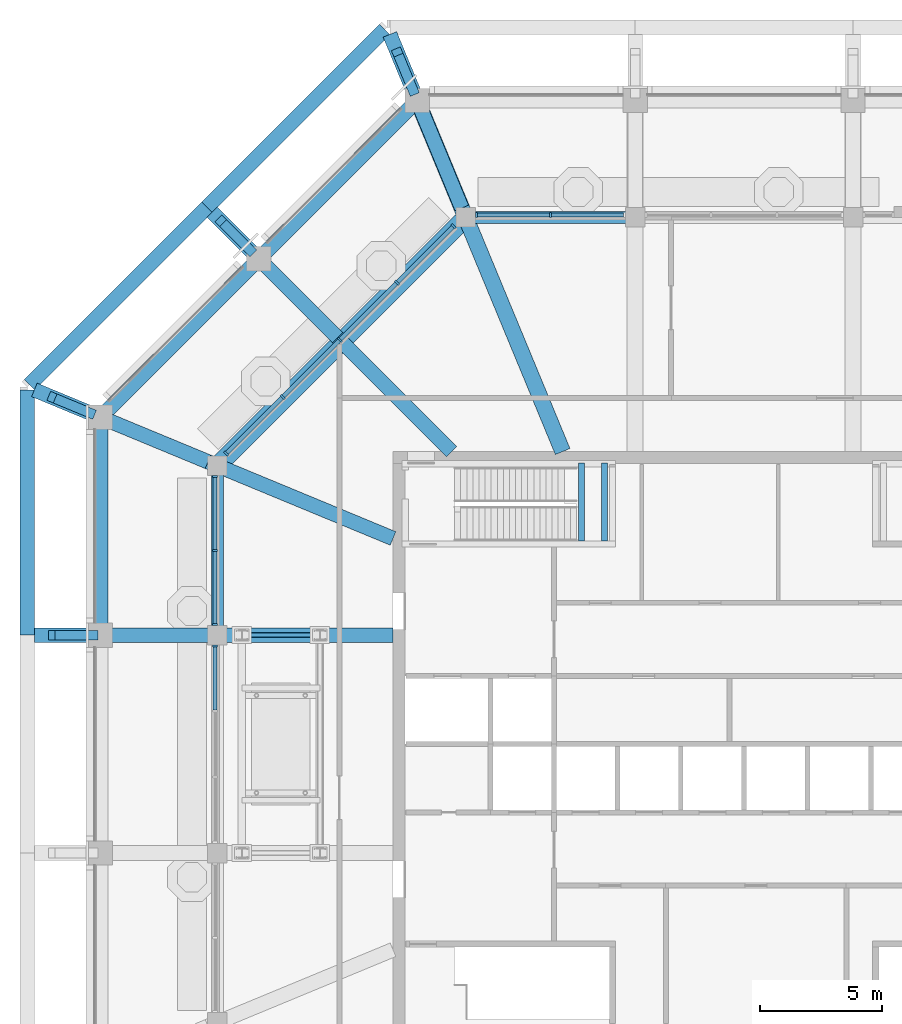
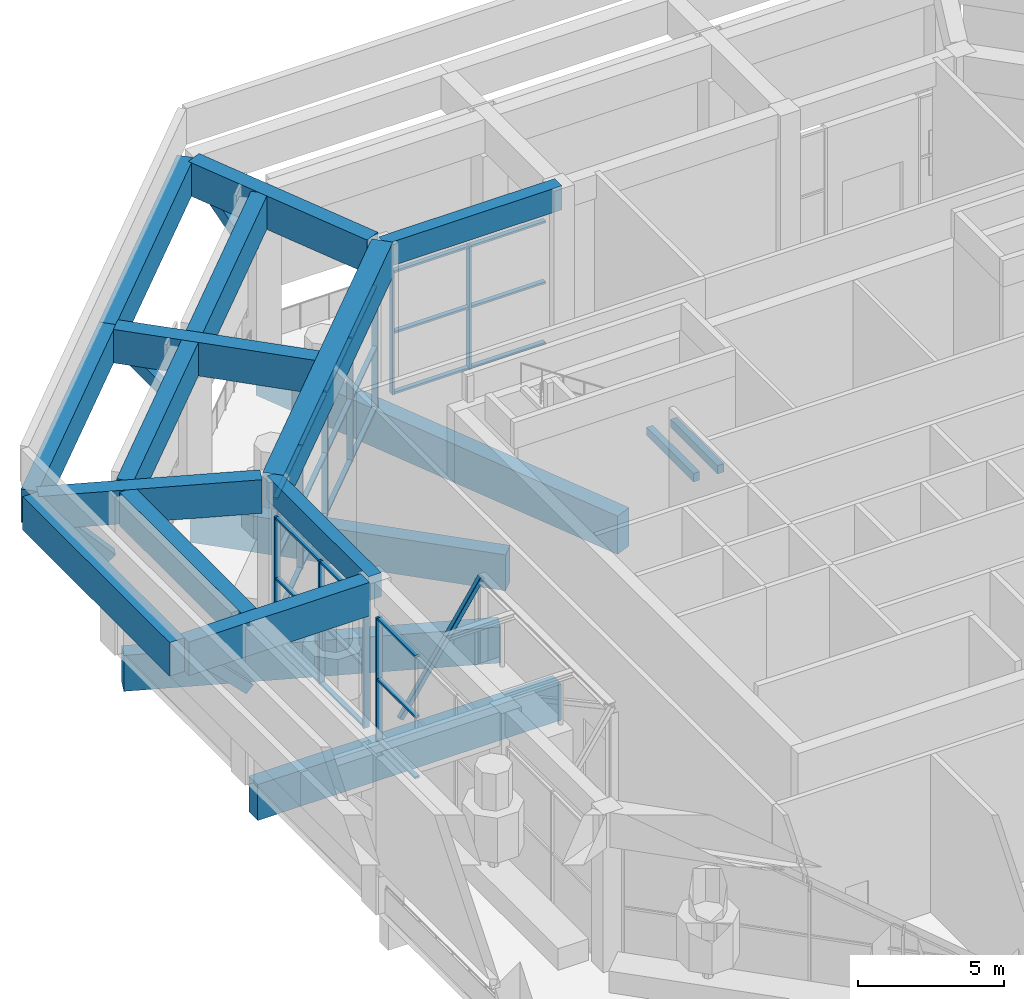
# One storey, part 9 of 29: 43 members, 19 beams, 4 elements without a shape of their own.
"""IFC4 building model written with IfcOpenShell, lengths in metres."""

import ifcopenshell
import ifcopenshell.guid

model = None  # the IFC model being written
_history = None  # IfcOwnerHistory: only IFC2X3 demands one
_inside = {}  # id of a spatial element -> (the spatial element, [elements in it])
_under = {}  # id of a project, library or spatial element -> (it, [spatial elements below it])
_declared = {}  # id of a project -> (the project, [libraries it declares])
_typed = {}  # id of a type object -> (the type object, [elements of that type])
_made_of = {}  # id of a material, layer set ... -> (it, [elements and type objects made of it])


def new_model(schema):
    """Start an empty IFC model of exactly this schema.

    Asked for "IFC4X3", IfcOpenShell would pick the latest addendum, in which some entities
    have other attributes; the version numbers below select the first issue.
    IFC2X3 requires an IfcOwnerHistory on every rooted entity: one is made here for all.
    """
    global model, _history
    if schema == "IFC4X3":
        model = ifcopenshell.file(schema_version=(4, 3, 0, 0))
    else:
        model = ifcopenshell.file(schema=schema)
    _inside.clear()
    _under.clear()
    _declared.clear()
    _typed.clear()
    _made_of.clear()
    _history = None
    if model.schema == "IFC2X3":
        org = make("IfcOrganization", Name="unknown")
        user = make(
            "IfcPersonAndOrganization",
            ThePerson=make("IfcPerson", FamilyName="unknown"),
            TheOrganization=org,
        )
        app = make(
            "IfcApplication",
            ApplicationDeveloper=org,
            Version="unknown",
            ApplicationFullName="unknown",
            ApplicationIdentifier="unknown",
        )
        _history = make(
            "IfcOwnerHistory",
            OwningUser=user,
            OwningApplication=app,
            ChangeAction="ADDED",
            CreationDate=0,
        )
    return model


def make(cls, **values):
    """One entity of the class cls with the attributes given. An attribute that is None is left unset."""
    return model.create_entity(
        cls, **{name: value for name, value in values.items() if value is not None}
    )


def rooted(cls, **values):
    """An entity with a GlobalId (a new one), such as an element, a storey or a relation."""
    return make(cls, GlobalId=ifcopenshell.guid.new(), OwnerHistory=_history, **values)


def si_unit(unit_type, name, prefix=None):
    """IfcSIUnit, for example si_unit("LENGTHUNIT", "METRE", prefix="MILLI")."""
    return make("IfcSIUnit", UnitType=unit_type, Prefix=prefix, Name=name)


def assignment(units):
    """IfcUnitAssignment: the units of a project."""
    return None if units is None else make("IfcUnitAssignment", Units=units)


def point(xyz):
    """IfcCartesianPoint."""
    return None if xyz is None else make("IfcCartesianPoint", Coordinates=xyz)


def direction(xyz):
    """IfcDirection."""
    return None if xyz is None else make("IfcDirection", DirectionRatios=xyz)


def frame(location, z_axis=None, x_axis=None):
    """IfcAxis2Placement3D, a coordinate frame: its origin and axes. An axis left out is left unset."""
    return make(
        "IfcAxis2Placement3D",
        Location=point(location),
        Axis=direction(z_axis),
        RefDirection=direction(x_axis),
    )


def frame_2d(location, x_axis=None):
    """IfcAxis2Placement2D, a coordinate frame in the plane: its origin and x axis."""
    return make(
        "IfcAxis2Placement2D", Location=point(location), RefDirection=direction(x_axis)
    )


def origin():
    """The frame at (0, 0, 0) with its axes left unset."""
    return frame((0.0, 0.0, 0.0))


def origin_2d():
    """The frame at (0, 0) in the plane with its x axis left unset."""
    return frame_2d((0.0, 0.0))


def place(relative_to, where):
    """IfcLocalPlacement: puts the frame where relative to a parent placement (None: the world)."""
    return make(
        "IfcLocalPlacement", PlacementRelTo=relative_to, RelativePlacement=where
    )


def context(
    kind, dimensions, precision=None, world=None, true_north=None, identifier=None
):
    """IfcGeometricRepresentationContext, for example the 3D "Model" context."""
    return make(
        "IfcGeometricRepresentationContext",
        ContextIdentifier=identifier,
        ContextType=kind,
        CoordinateSpaceDimension=dimensions,
        Precision=precision,
        WorldCoordinateSystem=world,
        TrueNorth=true_north,
    )


def subcontext(parent, identifier, kind, view, scale=None):
    """IfcGeometricRepresentationSubContext, for example "Body" below "Model"."""
    return make(
        "IfcGeometricRepresentationSubContext",
        ContextIdentifier=identifier,
        ContextType=kind,
        ParentContext=parent,
        TargetScale=scale,
        TargetView=view,
    )


def project(units=None, contexts=None):
    """IfcProject with its units and contexts."""
    return rooted(
        "IfcProject",
        Name="project",
        RepresentationContexts=contexts,
        UnitsInContext=assignment(units),
    )


def spatial(cls, under=None, at=None, **own):
    """A site, building, storey or space (cls), placed at a placement, below another one or the project."""
    s = rooted(cls, ObjectPlacement=at, **own)
    if under is not None:
        _under.setdefault(under.id(), (under, []))[1].append(s)
    return s


def profile(cls, at=None, kind="AREA", **sizes):
    """A parametric profile (cls). Its sizes go by their IFC names, for example OverallWidth=200.0."""
    return make(cls, ProfileType=kind, Position=at, **sizes)


def rectangle(**sizes):
    """IfcRectangleProfileDef."""
    return profile("IfcRectangleProfileDef", **sizes)


def hollow_rectangle(**sizes):
    """IfcRectangleHollowProfileDef."""
    return profile("IfcRectangleHollowProfileDef", **sizes)


def extrude(swept, where, along, depth):
    """IfcExtrudedAreaSolid: the profile swept, set in the frame where, extruded along a direction by depth."""
    return make(
        "IfcExtrudedAreaSolid",
        SweptArea=swept,
        Position=where,
        ExtrudedDirection=direction(along),
        Depth=depth,
    )


def shape(context_of_items, identifier, shape_type, items):
    """IfcShapeRepresentation: the items that make up one representation, for example the "Body"."""
    return make(
        "IfcShapeRepresentation",
        ContextOfItems=context_of_items,
        RepresentationIdentifier=identifier,
        RepresentationType=shape_type,
        Items=items,
    )


def material(Name=None, Category=None):
    """IfcMaterial."""
    return make("IfcMaterial", Name=Name, Category=Category)


def material_profile(
    of_material, cross_section, Name=None, Category=None, Priority=None
):
    """IfcMaterialProfile: a cross section and its material."""
    return make(
        "IfcMaterialProfile",
        Name=Name,
        Material=of_material,
        Profile=cross_section,
        Priority=Priority,
        Category=Category,
    )


def profile_set(profiles, Name=None, composite=None):
    """IfcMaterialProfileSet."""
    return make(
        "IfcMaterialProfileSet",
        Name=Name,
        MaterialProfiles=profiles,
        CompositeProfile=composite,
    )


def made_of(thing, what):
    """Note that an element or type object is made of a material, layer set ...; save() writes the relation."""
    if what is not None:
        _made_of.setdefault(what.id(), (what, []))[1].append(thing)
    return thing


def type_object(cls, material=None, **own):
    """A type object (cls), such as IfcWallType, which elements share."""
    return made_of(rooted(cls, **own), material)


def element(
    cls,
    number,
    at=None,
    inside=None,
    cuts=None,
    type_object=None,
    material=None,
    context=None,
    identifier="Body",
    shape_type=None,
    held_by="IfcProductDefinitionShape",
    body=None,
    shapes=None,
    **own,
):
    """One element of the class cls, such as IfcWall. Its Tag is "e" and its number.

    at: its placement. inside: the storey or other place that contains it. cuts: it is an
    opening in that element (IfcRelVoidsElement). A single representation is given by context,
    identifier, shape_type and body (its items); several are given by shapes. held_by: the class
    of the entity that holds the representations. save() writes the other relations.
    """
    e = rooted(cls, Tag="e%d" % number, ObjectPlacement=at, **own)
    if body is not None:
        shapes = [shape(context, identifier, shape_type, body)]
    if shapes is not None:
        e.Representation = make(held_by, Representations=shapes)
    if inside is not None:
        _inside.setdefault(inside.id(), (inside, []))[1].append(e)
    if cuts is not None:
        rooted(
            "IfcRelVoidsElement", RelatingBuildingElement=cuts, RelatedOpeningElement=e
        )
    if type_object is not None:
        _typed.setdefault(type_object.id(), (type_object, []))[1].append(e)
    return made_of(e, material)


def aggregate(whole, parts):
    """IfcRelAggregates: a whole, such as a stair, and the parts it consists of."""
    return rooted("IfcRelAggregates", RelatingObject=whole, RelatedObjects=parts)


def save(model, path):
    """Write the relations noted so far, then the file.

    IfcRelAggregates (storeys below a building ...), IfcRelContainedInSpatialStructure (elements
    in a storey), IfcRelDefinesByType, IfcRelAssociatesMaterial and IfcRelDeclares: one each for
    every whole, place, type object, material and project.
    """
    for whole, parts in _under.values():
        aggregate(whole, parts)
    for where, things in _inside.values():
        rooted(
            "IfcRelContainedInSpatialStructure",
            RelatedElements=things,
            RelatingStructure=where,
        )
    for kind, things in _typed.values():
        rooted("IfcRelDefinesByType", RelatedObjects=things, RelatingType=kind)
    for what, things in _made_of.values():
        rooted("IfcRelAssociatesMaterial", RelatedObjects=things, RelatingMaterial=what)
    for by, libraries in _declared.values():
        rooted("IfcRelDeclares", RelatingContext=by, RelatedDefinitions=libraries)
    model.write(path)


model = new_model("IFC4")

# Units and contexts
model_context = context("Model", 3, precision=1e-05, world=origin(), true_north=direction((0.0, 1.0)))
body_context = subcontext(model_context, "Body", "Model", "MODEL_VIEW")
ifc_project = project(units=[si_unit("LENGTHUNIT", "METRE"), si_unit("AREAUNIT", "SQUARE_METRE"), si_unit("VOLUMEUNIT", "CUBIC_METRE"), si_unit("PLANEANGLEUNIT", "RADIAN"), si_unit("MASSUNIT", "GRAM", prefix="KILO")], contexts=[model_context])

# Site, building, storey
site_placement = place(None, origin())
site = spatial("IfcSite", under=ifc_project, at=site_placement, CompositionType="ELEMENT")
building_placement = place(site_placement, origin())
building = spatial("IfcBuilding", under=site, at=building_placement, Name="Msitu Wima Residences", CompositionType="ELEMENT")
storey_placement = place(building_placement, frame((0.0, 0.0, 320.10009765625)))
storey = spatial("IfcBuildingStorey", under=building, at=storey_placement, Name="L74", CompositionType="ELEMENT", Elevation=320.10009765625)

# Beams
ifc_material_1 = material(Name="Concrete C60/75", Category="concrete")
ifc_material_profile_1 = material_profile(ifc_material_1, rectangle(XDim=0.60009765625, YDim=1.39990234375, at=origin_2d()), Name="RC 600x1400")
ifc_profile_set_1 = profile_set([ifc_material_profile_1], Name="Concrete C60/75")
beam_type_1 = type_object("IfcBeamType", Name="Canopy cantilever beam CT600x1400", PredefinedType="BEAM", material=ifc_profile_set_1)
beam_1_placement = place(storey_placement, frame((-11.578857421875, 21.989013671875, 5.89990234375), z_axis=(-0.382671591087, 0.923884437241, 0.0), x_axis=(-0.923884437241, -0.382671591087, 0.0)))
element("IfcBeam", 1, at=beam_1_placement, inside=storey, type_object=beam_type_1, Name="Canopy cantilever beam C-NW0", PredefinedType="BEAM", context=body_context, shape_type="SweptSolid", body=[
    extrude(rectangle(XDim=0.60009765625, YDim=1.39990234375, at=origin_2d()), origin(), (0.0, 0.0, 1.0), 7.708740234375),
])
beam_2_placement = place(storey_placement, frame((-16.677001953125, 16.677001953125, 5.89990234375), z_axis=(-0.707106781187, 0.707106781187, 0.0), x_axis=(-0.707106781187, -0.707106781187, 0.0)))
element("IfcBeam", 2, at=beam_2_placement, inside=storey, type_object=beam_type_1, Name="Canopy cantilever beam C-NW1", PredefinedType="BEAM", context=body_context, shape_type="SweptSolid", body=[
    extrude(rectangle(XDim=0.60009765625, YDim=1.39990234375, at=origin_2d()), origin(), (0.0, 0.0, 1.0), 7.274169921875),
])
beam_3_placement = place(storey_placement, frame((-21.989013671875, 11.578857421875, 5.89990234375), z_axis=(-0.923884437241, 0.382671591087, 0.0), x_axis=(-0.382671591087, -0.923884437241, 0.0)))
element("IfcBeam", 3, at=beam_3_placement, inside=storey, type_object=beam_type_1, Name="Canopy cantilever beam C-W0", PredefinedType="BEAM", context=body_context, shape_type="SweptSolid", body=[
    extrude(rectangle(XDim=0.60009765625, YDim=1.39990234375, at=origin_2d()), origin(), (0.0, 0.0, 1.0), 7.708740234375),
])
beam_4_placement = place(storey_placement, frame((-21.988037109375, 4.46875, 5.89990234375), z_axis=(-1.0, 0.0, 0.0), x_axis=(0.0, -1.0, 0.0)))
element("IfcBeam", 4, at=beam_4_placement, inside=storey, type_object=beam_type_1, Name="Canopy cantilever beam C-W1", PredefinedType="BEAM", context=body_context, shape_type="SweptSolid", body=[
    extrude(rectangle(XDim=0.60009765625, YDim=1.39990234375, at=origin_2d()), origin(), (0.0, 0.0, 1.0), 7.1240234375),
])

# Members
ifc_material_profile_2 = material_profile(ifc_material_1, rectangle(XDim=0.39990234375, YDim=0.39990234375, at=origin_2d()), Name="RC 400x400")
ifc_profile_set_2 = profile_set([ifc_material_profile_2], Name="Concrete C60/75")
member_type_1 = type_object("IfcMemberType", Name="Canopy knee strut KS400", PredefinedType="STRUT", material=ifc_profile_set_2)
member_1_placement = place(storey_placement, frame((-13.560302734375, 26.7724609375, 3.699951171875), z_axis=(-0.270580195263, 0.653318495526, 0.707079416568), x_axis=(-0.923896124067, -0.382643374349, 0.0)))
element("IfcMember", 5, at=member_1_placement, inside=storey, type_object=member_type_1, Name="Canopy knee strut C-NW0", PredefinedType="STRUT", context=body_context, shape_type="SweptSolid", body=[
    extrude(rectangle(XDim=0.39990234375, YDim=0.39990234375, at=origin_2d()), origin(), (0.0, 0.0, 1.0), 2.474853515625),
])
member_2_placement = place(storey_placement, frame((-20.22607421875, 20.22607421875, 3.699951171875), z_axis=(-0.500022618013, 0.500022618013, 0.707074793039), x_axis=(-0.707106781187, -0.707106781187, 0.0)))
element("IfcMember", 6, at=member_2_placement, inside=storey, type_object=member_type_1, Name="Canopy knee strut C-NW1", PredefinedType="STRUT", context=body_context, shape_type="SweptSolid", body=[
    extrude(rectangle(XDim=0.39990234375, YDim=0.39990234375, at=origin_2d()), origin(), (0.0, 0.0, 1.0), 2.47509765625),
])
for number, where, z_axis, x_axis, name in (
    (7, (-26.7724609375, 13.560302734375, 3.699951171875), (-0.653318495526, 0.270580195263, 0.707079416568), (-0.382643374349, -0.923896124067, 0.0), "Canopy knee strut C-W0"),
    (8, (-26.64990234375, 4.46875, 3.699951171875), (-0.707106781187, 0.0, 0.707106781187), (0.0, -1.0, 0.0), "Canopy knee strut C-W1"),
):
    element("IfcMember", number, at=place(storey_placement, frame(where, z_axis=z_axis, x_axis=x_axis)), inside=storey, type_object=member_type_1, Name=name, PredefinedType="STRUT", context=body_context, shape_type="SweptSolid", body=[
        extrude(rectangle(XDim=0.39990234375, YDim=0.39990234375, at=origin_2d()), origin(), (0.0, 0.0, 1.0), 2.474853515625),
    ])

# Beams
ifc_material_profile_3 = material_profile(ifc_material_1, rectangle(XDim=0.5, YDim=1.0, at=origin_2d()), Name="RC 500x1000")
ifc_profile_set_3 = profile_set([ifc_material_profile_3], Name="Concrete C60/75")
beam_type_2 = type_object("IfcBeamType", Name="Chamber ring beam CB500x1000", PredefinedType="BEAM", material=ifc_profile_set_3)
for number, where, z_axis, x_axis, name in (
    (9, (-4.46875, 21.60009765625, 6.099853515625), (-1.0, 0.0, 0.0), (0.0, -1.0, 0.0), "Chamber ring beam CH6"),
    (10, (-21.60009765625, 11.417724609375, 6.099853515625), (0.0, -1.0, 0.0), (1.0, 0.0, 0.0), "Chamber ring beam CH8"),
):
    element("IfcBeam", number, at=place(storey_placement, frame(where, z_axis=z_axis, x_axis=x_axis)), inside=storey, type_object=beam_type_2, Name=name, PredefinedType="BEAM", context=body_context, shape_type="SweptSolid", body=[
        extrude(rectangle(XDim=0.5, YDim=1.0, at=origin_2d()), origin(), (0.0, 0.0, 1.0), 6.948974609375),
    ])
ifc_material_profile_4 = material_profile(ifc_material_1, rectangle(XDim=0.75, YDim=1.449951171875, at=origin_2d()), Name="RC 750x1450")
ifc_profile_set_4 = profile_set([ifc_material_profile_4], Name="Concrete C60/75")
beam_type_3 = type_object("IfcBeamType", Name="Chamber ring beam CB750x1450", PredefinedType="BEAM", material=ifc_profile_set_4)
beam_5_placement = place(storey_placement, frame((-11.417724609375, 21.60009765625, 5.875), z_axis=(-0.707106781187, -0.707106781187, 0.0), x_axis=(0.707106781187, -0.707106781187, 0.0)))
element("IfcBeam", 11, at=beam_5_placement, inside=storey, type_object=beam_type_3, Name="Chamber ring beam CH7", PredefinedType="BEAM", context=body_context, shape_type="SweptSolid", body=[
    extrude(rectangle(XDim=0.75, YDim=1.449951171875, at=origin_2d()), origin(), (0.0, 0.0, 1.0), 14.400146484375),
])

# Member
ifc_material_2 = material(Name="Steel S355", Category="steel")
ifc_material_profile_5 = material_profile(ifc_material_2, hollow_rectangle(XDim=0.199951171875, YDim=0.199951171875, WallThickness=0.012451171875, InnerFilletRadius=0.012451171875, OuterFilletRadius=0.02490234375, at=origin_2d()), Name="SHS 200x200x12.5")
ifc_profile_set_5 = profile_set([ifc_material_profile_5], Name="Steel S355")
member_type_2 = type_object("IfcMemberType", Name="Damper frame SHS 200x200x12.5", PredefinedType="BRACE", material=ifc_profile_set_5)
member_3_placement = place(storey_placement, frame((-20.60009765625, 4.46875, 0.2548828125), z_axis=(0.555130142442, 0.0, 0.831763503018), x_axis=(0.0, 1.0, 0.0)))
element("IfcMember", 12, at=member_3_placement, inside=storey, type_object=member_type_2, Name="Damper frame brace W3", PredefinedType="BRACE", context=body_context, shape_type="SweptSolid", body=[
    extrude(hollow_rectangle(XDim=0.199951171875, YDim=0.199951171875, WallThickness=0.012451171875, InnerFilletRadius=0.012451171875, OuterFilletRadius=0.02490234375, at=origin_2d()), origin(), (0.0, 0.0, 1.0), 5.7646484375),
])

# Beams
ifc_material_profile_6 = material_profile(ifc_material_1, rectangle(XDim=0.60009765625, YDim=1.5, at=origin_2d()), Name="RC 600x1500")
ifc_profile_set_6 = profile_set([ifc_material_profile_6], Name="Concrete C60/75")
beam_type_4 = type_object("IfcBeamType", Name="Deck girder DG600x1500", PredefinedType="BEAM", material=ifc_profile_set_6)
beam_6_placement = place(storey_placement, frame((-19.90283203125, 19.90283203125, -1.050048828125), z_axis=(0.707106781187, -0.707106781187, 0.0), x_axis=(0.707106781187, 0.707106781187, 0.0)))
element("IfcBeam", 13, at=beam_6_placement, inside=storey, type_object=beam_type_4, Name="Deck girder C-NW1", PredefinedType="BEAM", context=body_context, shape_type="SweptSolid", body=[
    extrude(rectangle(XDim=0.60009765625, YDim=1.5, at=origin_2d()), origin(), (0.0, 0.0, 1.0), 11.17626953125),
])
beam_7_placement = place(storey_placement, frame((-26.39990234375, 13.406005859375, -1.050048828125), z_axis=(0.923875711423, -0.382692657157, 0.0), x_axis=(0.382692657157, 0.923875711423, 0.0)))
element("IfcBeam", 14, at=beam_7_placement, inside=storey, type_object=beam_type_4, Name="Deck girder C-W0", PredefinedType="BEAM", context=body_context, shape_type="SweptSolid", body=[
    extrude(rectangle(XDim=0.60009765625, YDim=1.5, at=origin_2d()), origin(), (0.0, 0.0, 1.0), 12.98876953125),
])
beam_8_placement = place(storey_placement, frame((-26.39990234375, 4.46875, -1.050048828125), z_axis=(1.0, 0.0, 0.0), x_axis=(0.0, 1.0, 0.0)))
element("IfcBeam", 15, at=beam_8_placement, inside=storey, type_object=beam_type_4, Name="Deck girder C-W1", PredefinedType="BEAM", context=body_context, shape_type="SweptSolid", body=[
    extrude(rectangle(XDim=0.60009765625, YDim=1.5, at=origin_2d()), origin(), (0.0, 0.0, 1.0), 12.0),
])
ifc_material_profile_7 = material_profile(ifc_material_1, rectangle(XDim=0.64990234375, YDim=1.60009765625, at=origin_2d()), Name="RC 650x1600")
ifc_profile_set_7 = profile_set([ifc_material_profile_7], Name="Concrete C60/75")
beam_type_5 = type_object("IfcBeamType", Name="Deck girder DG650x1600", PredefinedType="BEAM", material=ifc_profile_set_7)
beam_9_placement = place(storey_placement, frame((-13.406005859375, 26.39990234375, -1.10009765625), z_axis=(0.382694872378, -0.92387479382, 0.0), x_axis=(0.92387479382, 0.382694872378, 0.0)))
element("IfcBeam", 16, at=beam_9_placement, inside=storey, type_object=beam_type_5, Name="Deck girder C-NW0", PredefinedType="BEAM", context=body_context, shape_type="SweptSolid", body=[
    extrude(rectangle(XDim=0.64990234375, YDim=1.60009765625, at=origin_2d()), origin(), (0.0, 0.0, 1.0), 15.58642578125),
])
ifc_material_profile_8 = material_profile(ifc_material_1, rectangle(XDim=0.60009765625, YDim=1.39990234375, at=origin_2d()), Name="RC 600x1400")
ifc_profile_set_8 = profile_set([ifc_material_profile_8], Name="Concrete C60/75")
beam_type_6 = type_object("IfcBeamType", Name="Fascia beam FB600x1400", PredefinedType="BEAM", material=ifc_profile_set_8)
for number, where, z_axis, x_axis, name in (
    (17, (-13.626953125, 26.178955078125, 5.89990234375), (-0.707106781187, -0.707106781187, 0.0), (0.707106781187, -0.707106781187, 0.0), "Canopy fascia beam C-NW0"),
    (18, (-20.106689453125, 19.69921875, 5.89990234375), (-0.707106781187, -0.707106781187, 0.0), (0.707106781187, -0.707106781187, 0.0), "Canopy fascia beam C-NW1"),
):
    element("IfcBeam", number, at=place(storey_placement, frame(where, z_axis=z_axis, x_axis=x_axis)), inside=storey, type_object=beam_type_6, Name=name, PredefinedType="BEAM", context=body_context, shape_type="SweptSolid", body=[
        extrude(rectangle(XDim=0.60009765625, YDim=1.39990234375, at=origin_2d()), origin(), (0.0, 0.0, 1.0), 8.58740234375),
    ])
beam_10_placement = place(storey_placement, frame((-26.39990234375, 13.09326171875, 5.89990234375), z_axis=(0.0, -1.0, 0.0), x_axis=(1.0, 0.0, 0.0)))
element("IfcBeam", 19, at=beam_10_placement, inside=storey, type_object=beam_type_6, Name="Canopy fascia beam C-W0", PredefinedType="BEAM", context=body_context, shape_type="SweptSolid", body=[
    extrude(rectangle(XDim=0.60009765625, YDim=1.39990234375, at=origin_2d()), origin(), (0.0, 0.0, 1.0), 8.336669921875),
])
for number, where, z_axis, x_axis, name in (
    (20, (-14.736328125, 29.31201171875, 5.89990234375), (-0.707106781187, -0.707106781187, 0.0), (0.707106781187, -0.707106781187, 0.0), "Canopy edge fascia beam C-NW0"),
    (21, (-22.024169921875, 22.024169921875, 5.89990234375), (-0.707106781187, -0.707106781187, 0.0), (0.707106781187, -0.707106781187, 0.0), "Canopy edge fascia beam C-NW1"),
):
    element("IfcBeam", number, at=place(storey_placement, frame(where, z_axis=z_axis, x_axis=x_axis)), inside=storey, type_object=beam_type_6, Name=name, PredefinedType="BEAM", context=body_context, shape_type="SweptSolid", body=[
        extrude(rectangle(XDim=0.60009765625, YDim=1.39990234375, at=origin_2d()), origin(), (0.0, 0.0, 1.0), 10.306640625),
    ])
beam_11_placement = place(storey_placement, frame((-29.39990234375, 14.524169921875, 5.89990234375), z_axis=(0.0, -1.0, 0.0), x_axis=(1.0, 0.0, 0.0)))
element("IfcBeam", 22, at=beam_11_placement, inside=storey, type_object=beam_type_6, Name="Canopy edge fascia beam C-W0", PredefinedType="BEAM", context=body_context, shape_type="SweptSolid", body=[
    extrude(rectangle(XDim=0.60009765625, YDim=1.39990234375, at=origin_2d()), origin(), (0.0, 0.0, 1.0), 10.055419921875),
])
ifc_material_3 = material(Name="Concrete C40/50", Category="concrete")
ifc_material_profile_9 = material_profile(ifc_material_3, rectangle(XDim=0.25, YDim=0.35009765625, at=origin_2d()), Name="RC 250x350")
ifc_profile_set_9 = profile_set([ifc_material_profile_9], Name="Concrete C40/50")
beam_type_7 = type_object("IfcBeamType", Name="Landing beam RC 250x350", PredefinedType="BEAM", material=ifc_profile_set_9)
for number, where, z_axis, x_axis, name in (
    (23, (-6.675048828125, 8.324951171875, 3.125), (0.0, 1.0, 0.0), (-1.0, 0.0, 0.0), "Stair 1 landing beam"),
    (24, (-5.72509765625, 8.324951171875, 3.125), (0.0, 1.0, 0.0), (-1.0, 0.0, 0.0), "Stair 1 landing beam"),
):
    element("IfcBeam", number, at=place(storey_placement, frame(where, z_axis=z_axis, x_axis=x_axis)), inside=storey, type_object=beam_type_7, Name=name, PredefinedType="BEAM", context=body_context, shape_type="SweptSolid", body=[
        extrude(rectangle(XDim=0.25, YDim=0.35009765625, at=origin_2d()), origin(), (0.0, 0.0, 1.0), 3.199951171875),
    ])

# Curtain wall, members
ifc_material_4 = material(Name="Anodised aluminium, bronze finish, clear laminated double glazing", Category="aluminium")
curtain_wall_type = type_object("IfcCurtainWallType", Name="Curtain wall CW4 damper chamber wall", PredefinedType="NOTDEFINED", material=ifc_material_4)
curtain_wall_1_placement = place(storey_placement, origin())
curtain_wall_1 = element("IfcCurtainWall", 25, at=curtain_wall_1_placement, inside=storey, type_object=curtain_wall_type, Name="Curtain wall CW4 L74 CH-2c0", PredefinedType="NOTDEFINED")
ifc_material_5 = material(Name="Anodised aluminium, bronze finish", Category="aluminium")
ifc_material_profile_10 = material_profile(ifc_material_5, rectangle(XDim=0.219970703125, YDim=0.0849609375, at=origin_2d()), Name="Mullion 85x220")
ifc_profile_set_10 = profile_set([ifc_material_profile_10], Name="Anodised aluminium, bronze finish")
member_type_3 = type_object("IfcMemberType", Name="Mullion CW4 85x220", PredefinedType="MULLION", material=ifc_profile_set_10)
member_4_placement = place(storey_placement, frame((-7.943115234375, 21.699951171875, 0.0), z_axis=(0.0, 0.0, 1.0), x_axis=(0.0, -1.0, 0.0)))
member_4 = element("IfcMember", 26, at=member_4_placement, type_object=member_type_3, Name="CW4 mullion 2", PredefinedType="MULLION", context=body_context, shape_type="SweptSolid", body=[
    extrude(rectangle(XDim=0.219970703125, YDim=0.0849609375, at=origin_2d()), origin(), (0.0, 0.0, 1.0), 5.14990234375),
])
member_5_placement = place(storey_placement, frame((-10.97509765625, 21.699951171875, 0.0), z_axis=(0.0, 0.0, 1.0), x_axis=(0.0, -1.0, 0.0)))
member_5 = element("IfcMember", 27, at=member_5_placement, type_object=member_type_3, Name="CW4 mullion 3", PredefinedType="MULLION", context=body_context, shape_type="SweptSolid", body=[
    extrude(rectangle(XDim=0.219970703125, YDim=0.0849609375, at=origin_2d()), origin(), (0.0, 0.0, 1.0), 5.14990234375),
])

curtain_wall_2_placement = place(storey_placement, origin())
curtain_wall_2 = element("IfcCurtainWall", 28, at=curtain_wall_2_placement, inside=storey, type_object=curtain_wall_type, Name="Curtain wall CW4 L74 CH-3a0", PredefinedType="NOTDEFINED")
member_6_placement = place(storey_placement, frame((-11.91845703125, 21.24072265625, 0.0), z_axis=(0.0, 0.0, 1.0), x_axis=(0.707106781187, -0.707106781187, 0.0)))
member_6 = element("IfcMember", 29, at=member_6_placement, type_object=member_type_3, Name="CW4 mullion 1", PredefinedType="MULLION", context=body_context, shape_type="SweptSolid", body=[
    extrude(rectangle(XDim=0.219970703125, YDim=0.0849609375, at=origin_2d()), origin(), (0.0, 0.0, 1.0), 5.14990234375),
])
member_7_placement = place(storey_placement, frame((-14.23388671875, 18.925048828125, 0.0), z_axis=(0.0, 0.0, 1.0), x_axis=(0.707106781187, -0.707106781187, 0.0)))
member_7 = element("IfcMember", 30, at=member_7_placement, type_object=member_type_3, Name="CW4 mullion 2", PredefinedType="MULLION", context=body_context, shape_type="SweptSolid", body=[
    extrude(rectangle(XDim=0.219970703125, YDim=0.0849609375, at=origin_2d()), origin(), (0.0, 0.0, 1.0), 5.14990234375),
])
member_8_placement = place(storey_placement, frame((-16.57958984375, 16.57958984375, 0.0), z_axis=(0.0, 0.0, 1.0), x_axis=(0.707106781187, -0.707106781187, 0.0)))
member_8 = element("IfcMember", 31, at=member_8_placement, type_object=member_type_3, Name="CW4 mullion 3", PredefinedType="MULLION", context=body_context, shape_type="SweptSolid", body=[
    extrude(rectangle(XDim=0.219970703125, YDim=0.0849609375, at=origin_2d()), origin(), (0.0, 0.0, 1.0), 5.14990234375),
])
member_9_placement = place(storey_placement, frame((-18.925048828125, 14.23388671875, 0.0), z_axis=(0.0, 0.0, 1.0), x_axis=(0.707106781187, -0.707106781187, 0.0)))
member_9 = element("IfcMember", 32, at=member_9_placement, type_object=member_type_3, Name="CW4 mullion 4", PredefinedType="MULLION", context=body_context, shape_type="SweptSolid", body=[
    extrude(rectangle(XDim=0.219970703125, YDim=0.0849609375, at=origin_2d()), origin(), (0.0, 0.0, 1.0), 5.14990234375),
])
member_10_placement = place(storey_placement, frame((-21.24072265625, 11.91845703125, 0.0), z_axis=(0.0, 0.0, 1.0), x_axis=(0.707106781187, -0.707106781187, 0.0)))
member_10 = element("IfcMember", 33, at=member_10_placement, type_object=member_type_3, Name="CW4 mullion 5", PredefinedType="MULLION", context=body_context, shape_type="SweptSolid", body=[
    extrude(rectangle(XDim=0.219970703125, YDim=0.0849609375, at=origin_2d()), origin(), (0.0, 0.0, 1.0), 5.14990234375),
])

curtain_wall_3_placement = place(storey_placement, origin())
curtain_wall_3 = element("IfcCurtainWall", 34, at=curtain_wall_3_placement, inside=storey, type_object=curtain_wall_type, Name="Curtain wall CW4 L74 CH-4a0", PredefinedType="NOTDEFINED")
member_11_placement = place(storey_placement, frame((-21.699951171875, 10.97509765625, 0.0), z_axis=(0.0, 0.0, 1.0), x_axis=(1.0, 0.0, 0.0)))
member_11 = element("IfcMember", 35, at=member_11_placement, type_object=member_type_3, Name="CW4 mullion 1", PredefinedType="MULLION", context=body_context, shape_type="SweptSolid", body=[
    extrude(rectangle(XDim=0.219970703125, YDim=0.0849609375, at=origin_2d()), origin(), (0.0, 0.0, 1.0), 5.14990234375),
])
member_12_placement = place(storey_placement, frame((-21.699951171875, 7.943115234375, 0.0), z_axis=(0.0, 0.0, 1.0), x_axis=(1.0, 0.0, 0.0)))
member_12 = element("IfcMember", 36, at=member_12_placement, type_object=member_type_3, Name="CW4 mullion 2", PredefinedType="MULLION", context=body_context, shape_type="SweptSolid", body=[
    extrude(rectangle(XDim=0.219970703125, YDim=0.0849609375, at=origin_2d()), origin(), (0.0, 0.0, 1.0), 5.14990234375),
])
member_13_placement = place(storey_placement, frame((-21.699951171875, 4.9111328125, 0.0), z_axis=(0.0, 0.0, 1.0), x_axis=(1.0, 0.0, 0.0)))
member_13 = element("IfcMember", 37, at=member_13_placement, type_object=member_type_3, Name="CW4 mullion 3", PredefinedType="MULLION", context=body_context, shape_type="SweptSolid", body=[
    extrude(rectangle(XDim=0.219970703125, YDim=0.0849609375, at=origin_2d()), origin(), (0.0, 0.0, 1.0), 5.14990234375),
])

# Curtain wall, member
curtain_wall_4_placement = place(storey_placement, origin())
curtain_wall_4 = element("IfcCurtainWall", 38, at=curtain_wall_4_placement, inside=storey, type_object=curtain_wall_type, Name="Curtain wall CW4 L74 CH-4b0", PredefinedType="NOTDEFINED")
member_14_placement = place(storey_placement, frame((-21.699951171875, 4.026123046875, 0.0), z_axis=(0.0, 0.0, 1.0), x_axis=(1.0, 0.0, 0.0)))
member_14 = element("IfcMember", 39, at=member_14_placement, type_object=member_type_3, Name="CW4 mullion 1", PredefinedType="MULLION", context=body_context, shape_type="SweptSolid", body=[
    extrude(rectangle(XDim=0.219970703125, YDim=0.0849609375, at=origin_2d()), origin(), (0.0, 0.0, 1.0), 5.14990234375),
])

# Member
ifc_material_profile_11 = material_profile(ifc_material_5, rectangle(XDim=0.179931640625, YDim=0.0849609375, at=origin_2d()), Name="Transom 85x180")
ifc_profile_set_11 = profile_set([ifc_material_profile_11], Name="Anodised aluminium, bronze finish")
member_type_4 = type_object("IfcMemberType", Name="Transom CW4 85x180", PredefinedType="USERDEFINED", material=ifc_profile_set_11)
member_15_placement = place(storey_placement, frame((-4.95361328125, 21.699951171875, 0.04248046875), z_axis=(-1.0, 0.0, 0.0), x_axis=(0.0, -1.0, 0.0)))
member_15 = element("IfcMember", 40, at=member_15_placement, type_object=member_type_4, Name="CW4 transom 1.1", ObjectType="TRANSOM", PredefinedType="USERDEFINED", context=body_context, shape_type="SweptSolid", body=[
    extrude(rectangle(XDim=0.179931640625, YDim=0.0849609375, at=origin_2d()), origin(), (0.0, 0.0, 1.0), 2.947021484375),
])

member_16_placement = place(storey_placement, frame((-4.95361328125, 21.699951171875, 2.574951171875), z_axis=(-1.0, 0.0, 0.0), x_axis=(0.0, -1.0, 0.0)))
member_16 = element("IfcMember", 41, at=member_16_placement, type_object=member_type_4, Name="CW4 transom 1.2", ObjectType="TRANSOM", PredefinedType="USERDEFINED", context=body_context, shape_type="SweptSolid", body=[
    extrude(rectangle(XDim=0.179931640625, YDim=0.0849609375, at=origin_2d()), origin(), (0.0, 0.0, 1.0), 2.947021484375),
])

member_17_placement = place(storey_placement, frame((-4.95361328125, 21.699951171875, 5.107421875), z_axis=(-1.0, 0.0, 0.0), x_axis=(0.0, -1.0, 0.0)))
member_17 = element("IfcMember", 42, at=member_17_placement, type_object=member_type_4, Name="CW4 transom 1.3", ObjectType="TRANSOM", PredefinedType="USERDEFINED", context=body_context, shape_type="SweptSolid", body=[
    extrude(rectangle(XDim=0.179931640625, YDim=0.0849609375, at=origin_2d()), origin(), (0.0, 0.0, 1.0), 2.947021484375),
])

member_18_placement = place(storey_placement, frame((-7.985595703125, 21.699951171875, 0.04248046875), z_axis=(-1.0, 0.0, 0.0), x_axis=(0.0, -1.0, 0.0)))
member_18 = element("IfcMember", 43, at=member_18_placement, type_object=member_type_4, Name="CW4 transom 2.1", ObjectType="TRANSOM", PredefinedType="USERDEFINED", context=body_context, shape_type="SweptSolid", body=[
    extrude(rectangle(XDim=0.179931640625, YDim=0.0849609375, at=origin_2d()), origin(), (0.0, 0.0, 1.0), 2.947021484375),
])

member_19_placement = place(storey_placement, frame((-7.985595703125, 21.699951171875, 2.574951171875), z_axis=(-1.0, 0.0, 0.0), x_axis=(0.0, -1.0, 0.0)))
member_19 = element("IfcMember", 44, at=member_19_placement, type_object=member_type_4, Name="CW4 transom 2.2", ObjectType="TRANSOM", PredefinedType="USERDEFINED", context=body_context, shape_type="SweptSolid", body=[
    extrude(rectangle(XDim=0.179931640625, YDim=0.0849609375, at=origin_2d()), origin(), (0.0, 0.0, 1.0), 2.947021484375),
])

member_20_placement = place(storey_placement, frame((-7.985595703125, 21.699951171875, 5.107421875), z_axis=(-1.0, 0.0, 0.0), x_axis=(0.0, -1.0, 0.0)))
member_20 = element("IfcMember", 45, at=member_20_placement, type_object=member_type_4, Name="CW4 transom 2.3", ObjectType="TRANSOM", PredefinedType="USERDEFINED", context=body_context, shape_type="SweptSolid", body=[
    extrude(rectangle(XDim=0.179931640625, YDim=0.0849609375, at=origin_2d()), origin(), (0.0, 0.0, 1.0), 2.947021484375),
])

aggregate(curtain_wall_1, [member_4, member_5, member_15, member_16, member_17, member_18, member_19, member_20])

member_21_placement = place(storey_placement, frame((-11.948486328125, 21.210693359375, 0.04248046875), z_axis=(-0.707068510584, -0.707145049717, 0.0), x_axis=(0.707145049717, -0.707068510584, 0.0)))
member_21 = element("IfcMember", 46, at=member_21_placement, type_object=member_type_4, Name="CW4 transom 1.1", ObjectType="TRANSOM", PredefinedType="USERDEFINED", context=body_context, shape_type="SweptSolid", body=[
    extrude(rectangle(XDim=0.179931640625, YDim=0.0849609375, at=origin_2d()), origin(), (0.0, 0.0, 1.0), 3.189697265625),
])

member_22_placement = place(storey_placement, frame((-11.948486328125, 21.210693359375, 2.574951171875), z_axis=(-0.707068510584, -0.707145049717, 0.0), x_axis=(0.707145049717, -0.707068510584, 0.0)))
member_22 = element("IfcMember", 47, at=member_22_placement, type_object=member_type_4, Name="CW4 transom 1.2", ObjectType="TRANSOM", PredefinedType="USERDEFINED", context=body_context, shape_type="SweptSolid", body=[
    extrude(rectangle(XDim=0.179931640625, YDim=0.0849609375, at=origin_2d()), origin(), (0.0, 0.0, 1.0), 3.189697265625),
])

member_23_placement = place(storey_placement, frame((-11.948486328125, 21.210693359375, 5.107421875), z_axis=(-0.707068510584, -0.707145049717, 0.0), x_axis=(0.707145049717, -0.707068510584, 0.0)))
member_23 = element("IfcMember", 48, at=member_23_placement, type_object=member_type_4, Name="CW4 transom 1.3", ObjectType="TRANSOM", PredefinedType="USERDEFINED", context=body_context, shape_type="SweptSolid", body=[
    extrude(rectangle(XDim=0.179931640625, YDim=0.0849609375, at=origin_2d()), origin(), (0.0, 0.0, 1.0), 3.189697265625),
])

member_24_placement = place(storey_placement, frame((-14.263916015625, 18.89501953125, 0.04248046875), z_axis=(-0.707144546924, -0.707069013432, 0.0), x_axis=(0.707069013432, -0.707144546924, 0.0)))
member_24 = element("IfcMember", 49, at=member_24_placement, type_object=member_type_4, Name="CW4 transom 2.1", ObjectType="TRANSOM", PredefinedType="USERDEFINED", context=body_context, shape_type="SweptSolid", body=[
    extrude(rectangle(XDim=0.179931640625, YDim=0.0849609375, at=origin_2d()), origin(), (0.0, 0.0, 1.0), 3.232177734375),
])

member_25_placement = place(storey_placement, frame((-14.263916015625, 18.89501953125, 2.574951171875), z_axis=(-0.707144546924, -0.707069013432, 0.0), x_axis=(0.707069013432, -0.707144546924, 0.0)))
member_25 = element("IfcMember", 50, at=member_25_placement, type_object=member_type_4, Name="CW4 transom 2.2", ObjectType="TRANSOM", PredefinedType="USERDEFINED", context=body_context, shape_type="SweptSolid", body=[
    extrude(rectangle(XDim=0.179931640625, YDim=0.0849609375, at=origin_2d()), origin(), (0.0, 0.0, 1.0), 3.232177734375),
])

member_26_placement = place(storey_placement, frame((-14.263916015625, 18.89501953125, 5.107421875), z_axis=(-0.707144546924, -0.707069013432, 0.0), x_axis=(0.707069013432, -0.707144546924, 0.0)))
member_26 = element("IfcMember", 51, at=member_26_placement, type_object=member_type_4, Name="CW4 transom 2.3", ObjectType="TRANSOM", PredefinedType="USERDEFINED", context=body_context, shape_type="SweptSolid", body=[
    extrude(rectangle(XDim=0.179931640625, YDim=0.0849609375, at=origin_2d()), origin(), (0.0, 0.0, 1.0), 3.232177734375),
])

member_27_placement = place(storey_placement, frame((-16.609619140625, 16.549560546875, 0.04248046875), z_axis=(-0.707069013432, -0.707144546924, 0.0), x_axis=(0.707144546924, -0.707069013432, 0.0)))
member_27 = element("IfcMember", 52, at=member_27_placement, type_object=member_type_4, Name="CW4 transom 3.1", ObjectType="TRANSOM", PredefinedType="USERDEFINED", context=body_context, shape_type="SweptSolid", body=[
    extrude(rectangle(XDim=0.179931640625, YDim=0.0849609375, at=origin_2d()), origin(), (0.0, 0.0, 1.0), 3.232177734375),
])

member_28_placement = place(storey_placement, frame((-16.609619140625, 16.549560546875, 2.574951171875), z_axis=(-0.707069013432, -0.707144546924, 0.0), x_axis=(0.707144546924, -0.707069013432, 0.0)))
member_28 = element("IfcMember", 53, at=member_28_placement, type_object=member_type_4, Name="CW4 transom 3.2", ObjectType="TRANSOM", PredefinedType="USERDEFINED", context=body_context, shape_type="SweptSolid", body=[
    extrude(rectangle(XDim=0.179931640625, YDim=0.0849609375, at=origin_2d()), origin(), (0.0, 0.0, 1.0), 3.232177734375),
])

member_29_placement = place(storey_placement, frame((-16.609619140625, 16.549560546875, 5.107421875), z_axis=(-0.707069013432, -0.707144546924, 0.0), x_axis=(0.707144546924, -0.707069013432, 0.0)))
member_29 = element("IfcMember", 54, at=member_29_placement, type_object=member_type_4, Name="CW4 transom 3.3", ObjectType="TRANSOM", PredefinedType="USERDEFINED", context=body_context, shape_type="SweptSolid", body=[
    extrude(rectangle(XDim=0.179931640625, YDim=0.0849609375, at=origin_2d()), origin(), (0.0, 0.0, 1.0), 3.232177734375),
])

member_30_placement = place(storey_placement, frame((-18.955078125, 14.203857421875, 0.04248046875), z_axis=(-0.707145049717, -0.707068510584, 0.0), x_axis=(0.707068510584, -0.707145049717, 0.0)))
member_30 = element("IfcMember", 55, at=member_30_placement, type_object=member_type_4, Name="CW4 transom 4.1", ObjectType="TRANSOM", PredefinedType="USERDEFINED", context=body_context, shape_type="SweptSolid", body=[
    extrude(rectangle(XDim=0.179931640625, YDim=0.0849609375, at=origin_2d()), origin(), (0.0, 0.0, 1.0), 3.189697265625),
])

member_31_placement = place(storey_placement, frame((-18.955078125, 14.203857421875, 2.574951171875), z_axis=(-0.707145049717, -0.707068510584, 0.0), x_axis=(0.707068510584, -0.707145049717, 0.0)))
member_31 = element("IfcMember", 56, at=member_31_placement, type_object=member_type_4, Name="CW4 transom 4.2", ObjectType="TRANSOM", PredefinedType="USERDEFINED", context=body_context, shape_type="SweptSolid", body=[
    extrude(rectangle(XDim=0.179931640625, YDim=0.0849609375, at=origin_2d()), origin(), (0.0, 0.0, 1.0), 3.189697265625),
])

member_32_placement = place(storey_placement, frame((-18.955078125, 14.203857421875, 5.107421875), z_axis=(-0.707145049717, -0.707068510584, 0.0), x_axis=(0.707068510584, -0.707145049717, 0.0)))
member_32 = element("IfcMember", 57, at=member_32_placement, type_object=member_type_4, Name="CW4 transom 4.3", ObjectType="TRANSOM", PredefinedType="USERDEFINED", context=body_context, shape_type="SweptSolid", body=[
    extrude(rectangle(XDim=0.179931640625, YDim=0.0849609375, at=origin_2d()), origin(), (0.0, 0.0, 1.0), 3.189697265625),
])

aggregate(curtain_wall_2, [member_6, member_7, member_8, member_9, member_10, member_21, member_22, member_23, member_24, member_25, member_26, member_27, member_28, member_29, member_30, member_31, member_32])

member_33_placement = place(storey_placement, frame((-21.699951171875, 10.9326171875, 0.04248046875), z_axis=(0.0, -1.0, 0.0), x_axis=(1.0, 0.0, 0.0)))
member_33 = element("IfcMember", 58, at=member_33_placement, type_object=member_type_4, Name="CW4 transom 1.1", ObjectType="TRANSOM", PredefinedType="USERDEFINED", context=body_context, shape_type="SweptSolid", body=[
    extrude(rectangle(XDim=0.179931640625, YDim=0.0849609375, at=origin_2d()), origin(), (0.0, 0.0, 1.0), 2.947021484375),
])

member_34_placement = place(storey_placement, frame((-21.699951171875, 10.9326171875, 2.574951171875), z_axis=(0.0, -1.0, 0.0), x_axis=(1.0, 0.0, 0.0)))
member_34 = element("IfcMember", 59, at=member_34_placement, type_object=member_type_4, Name="CW4 transom 1.2", ObjectType="TRANSOM", PredefinedType="USERDEFINED", context=body_context, shape_type="SweptSolid", body=[
    extrude(rectangle(XDim=0.179931640625, YDim=0.0849609375, at=origin_2d()), origin(), (0.0, 0.0, 1.0), 2.947021484375),
])

member_35_placement = place(storey_placement, frame((-21.699951171875, 10.9326171875, 5.107421875), z_axis=(0.0, -1.0, 0.0), x_axis=(1.0, 0.0, 0.0)))
member_35 = element("IfcMember", 60, at=member_35_placement, type_object=member_type_4, Name="CW4 transom 1.3", ObjectType="TRANSOM", PredefinedType="USERDEFINED", context=body_context, shape_type="SweptSolid", body=[
    extrude(rectangle(XDim=0.179931640625, YDim=0.0849609375, at=origin_2d()), origin(), (0.0, 0.0, 1.0), 2.947021484375),
])

member_36_placement = place(storey_placement, frame((-21.699951171875, 7.900634765625, 0.04248046875), z_axis=(0.0, -1.0, 0.0), x_axis=(1.0, 0.0, 0.0)))
member_36 = element("IfcMember", 61, at=member_36_placement, type_object=member_type_4, Name="CW4 transom 2.1", ObjectType="TRANSOM", PredefinedType="USERDEFINED", context=body_context, shape_type="SweptSolid", body=[
    extrude(rectangle(XDim=0.179931640625, YDim=0.0849609375, at=origin_2d()), origin(), (0.0, 0.0, 1.0), 2.947021484375),
])

member_37_placement = place(storey_placement, frame((-21.699951171875, 7.900634765625, 2.574951171875), z_axis=(0.0, -1.0, 0.0), x_axis=(1.0, 0.0, 0.0)))
member_37 = element("IfcMember", 62, at=member_37_placement, type_object=member_type_4, Name="CW4 transom 2.2", ObjectType="TRANSOM", PredefinedType="USERDEFINED", context=body_context, shape_type="SweptSolid", body=[
    extrude(rectangle(XDim=0.179931640625, YDim=0.0849609375, at=origin_2d()), origin(), (0.0, 0.0, 1.0), 2.947021484375),
])

member_38_placement = place(storey_placement, frame((-21.699951171875, 7.900634765625, 5.107421875), z_axis=(0.0, -1.0, 0.0), x_axis=(1.0, 0.0, 0.0)))
member_38 = element("IfcMember", 63, at=member_38_placement, type_object=member_type_4, Name="CW4 transom 2.3", ObjectType="TRANSOM", PredefinedType="USERDEFINED", context=body_context, shape_type="SweptSolid", body=[
    extrude(rectangle(XDim=0.179931640625, YDim=0.0849609375, at=origin_2d()), origin(), (0.0, 0.0, 1.0), 2.947021484375),
])

aggregate(curtain_wall_3, [member_11, member_12, member_13, member_33, member_34, member_35, member_36, member_37, member_38])

member_39_placement = place(storey_placement, frame((-21.699951171875, 3.983642578125, 0.04248046875), z_axis=(0.0, -1.0, 0.0), x_axis=(1.0, 0.0, 0.0)))
member_39 = element("IfcMember", 64, at=member_39_placement, type_object=member_type_4, Name="CW4 transom 1.1", ObjectType="TRANSOM", PredefinedType="USERDEFINED", context=body_context, shape_type="SweptSolid", body=[
    extrude(rectangle(XDim=0.179931640625, YDim=0.0849609375, at=origin_2d()), origin(), (0.0, 0.0, 1.0), 2.5849609375),
])

member_40_placement = place(storey_placement, frame((-21.699951171875, 3.983642578125, 2.574951171875), z_axis=(0.0, -1.0, 0.0), x_axis=(1.0, 0.0, 0.0)))
member_40 = element("IfcMember", 65, at=member_40_placement, type_object=member_type_4, Name="CW4 transom 1.2", ObjectType="TRANSOM", PredefinedType="USERDEFINED", context=body_context, shape_type="SweptSolid", body=[
    extrude(rectangle(XDim=0.179931640625, YDim=0.0849609375, at=origin_2d()), origin(), (0.0, 0.0, 1.0), 2.5849609375),
])

member_41_placement = place(storey_placement, frame((-21.699951171875, 3.983642578125, 5.107421875), z_axis=(0.0, -1.0, 0.0), x_axis=(1.0, 0.0, 0.0)))
member_41 = element("IfcMember", 66, at=member_41_placement, type_object=member_type_4, Name="CW4 transom 1.3", ObjectType="TRANSOM", PredefinedType="USERDEFINED", context=body_context, shape_type="SweptSolid", body=[
    extrude(rectangle(XDim=0.179931640625, YDim=0.0849609375, at=origin_2d()), origin(), (0.0, 0.0, 1.0), 2.5849609375),
])

aggregate(curtain_wall_4, [member_14, member_39, member_40, member_41])

save(model, "model.ifc")
